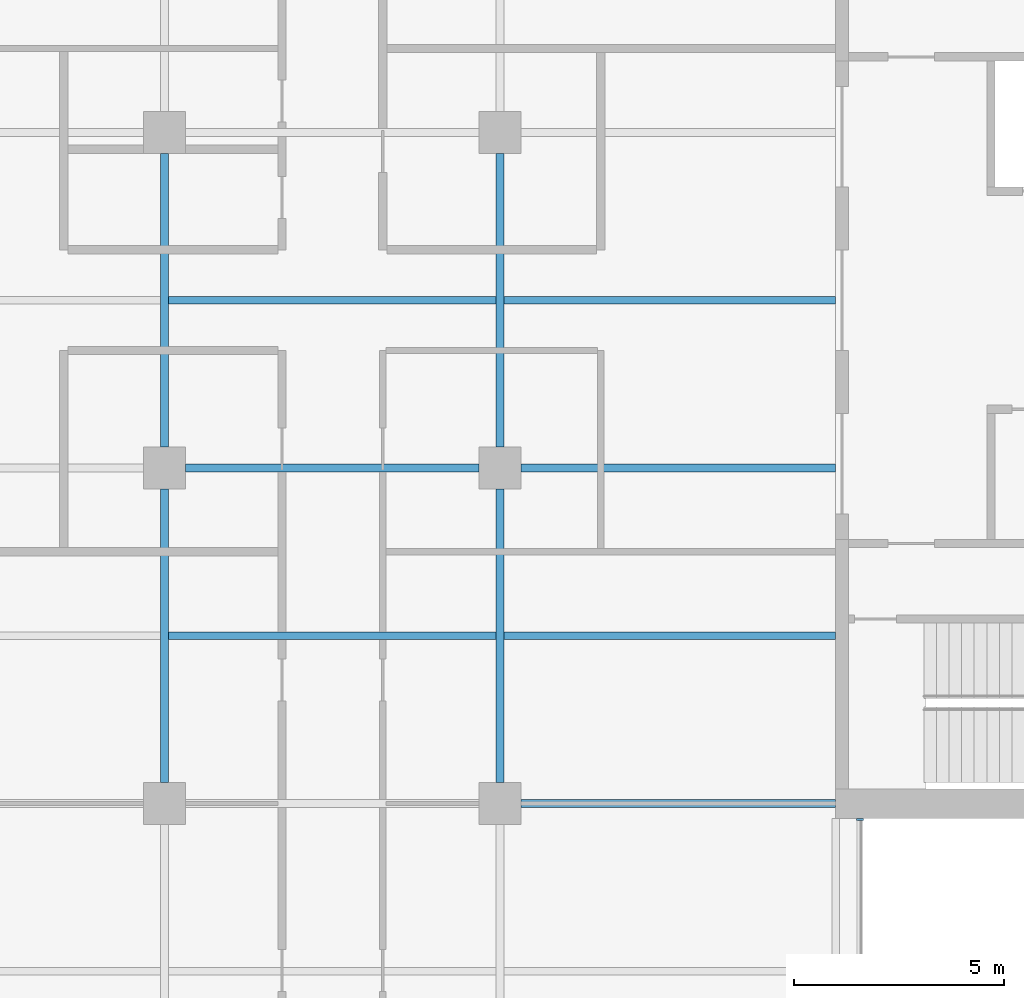
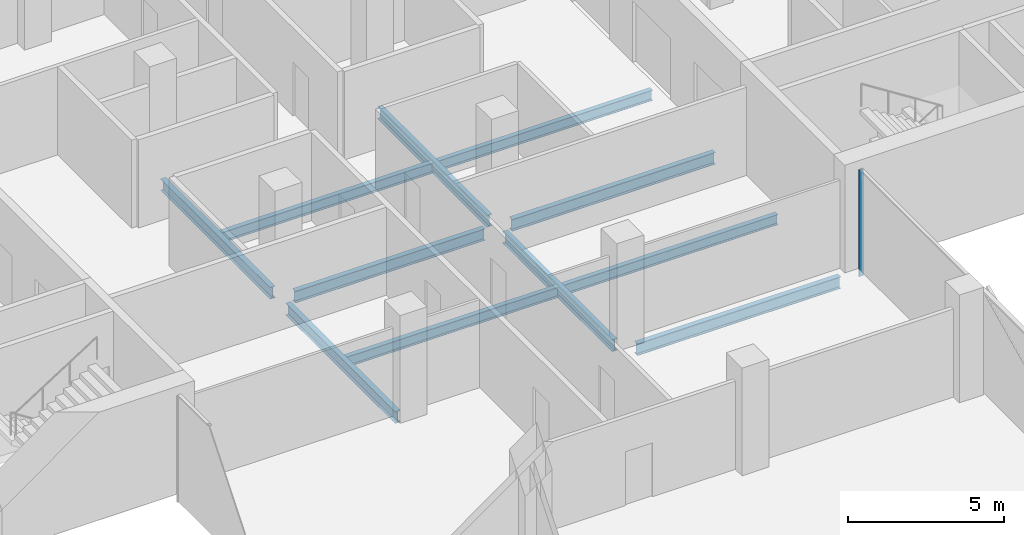
# One storey, part 6 of 22: 11 beams, 1 member, 1 element without a shape of its own.
"""IFC4 building model written with IfcOpenShell, lengths in metres."""

from ifc_helpers import new_model, si_unit, direction, frame, origin, origin_2d, place, context, subcontext, project, spatial, rectangle, i_section, extrude, material, material_profile, profile_set, type_object, element, aggregate, save


model = new_model("IFC4")

# Units and contexts
model_context = context("Model", 3, precision=1e-05, world=origin(), true_north=direction((0.0, 1.0)))
body_context = subcontext(model_context, "Body", "Model", "MODEL_VIEW")
ifc_project = project(units=[si_unit("LENGTHUNIT", "METRE"), si_unit("AREAUNIT", "SQUARE_METRE"), si_unit("VOLUMEUNIT", "CUBIC_METRE"), si_unit("PLANEANGLEUNIT", "RADIAN"), si_unit("MASSUNIT", "GRAM", prefix="KILO")], contexts=[model_context])

# Site, building, storey
site_placement = place(None, origin())
site = spatial("IfcSite", under=ifc_project, at=site_placement, CompositionType="ELEMENT")
building_placement = place(site_placement, origin())
building = spatial("IfcBuilding", under=site, at=building_placement, Name="Crosswind Convention Tower", CompositionType="ELEMENT")
storey_placement = place(building_placement, frame((0.0, 0.0, 137.89990234375)))
storey = spatial("IfcBuildingStorey", under=building, at=storey_placement, Name="L28", CompositionType="ELEMENT", Elevation=137.89990234375)

# Beams
ifc_material_1 = material(Name="Steel S355", Category="steel")
ifc_material_profile_1 = material_profile(ifc_material_1, i_section(OverallWidth=0.19140625, OverallDepth=0.460205078125, WebThickness=0.010009765625, FlangeThickness=0.01611328125, FilletRadius=0.01025390625, at=origin_2d()), Name="UB 457x191x82")
ifc_profile_set_1 = profile_set([ifc_material_profile_1], Name="Steel S355")
beam_type_1 = type_object("IfcBeamType", Name="Girder UB 457x191x82", PredefinedType="BEAM", material=ifc_profile_set_1)
for number, where, z_axis, x_axis, name in (
    (1, (121.0, 88.5, -0.530029296875), (0.0, 1.0, 0.0), (-1.0, 0.0, 0.0), "B3 L28 girder 5"),
    (2, (121.0, 96.5, -0.530029296875), (0.0, 1.0, 0.0), (-1.0, 0.0, 0.0), "B3 L28 girder 6"),
    (3, (121.5, 96.0, -0.530029296875), (1.0, 0.0, 0.0), (0.0, 1.0, 0.0), "B3 L28 girder 12"),
    (4, (129.0, 88.5, -0.530029296875), (0.0, 1.0, 0.0), (-1.0, 0.0, 0.0), "B3 L28 girder 18"),
    (5, (129.0, 96.5, -0.530029296875), (0.0, 1.0, 0.0), (-1.0, 0.0, 0.0), "B3 L28 girder 19"),
):
    element("IfcBeam", number, at=place(storey_placement, frame(where, z_axis=z_axis, x_axis=x_axis)), inside=storey, type_object=beam_type_1, Name=name, PredefinedType="BEAM", context=body_context, shape_type="SweptSolid", body=[
        extrude(i_section(OverallWidth=0.19140625, OverallDepth=0.460205078125, WebThickness=0.010009765625, FlangeThickness=0.01611328125, FilletRadius=0.01025390625, at=origin_2d()), origin(), (0.0, 0.0, 1.0), 7.0),
    ])
ifc_material_profile_2 = material_profile(ifc_material_1, i_section(OverallWidth=0.19189453125, OverallDepth=0.463623046875, WebThickness=0.010498046875, FlangeThickness=0.017578125, FilletRadius=0.01025390625, at=origin_2d()), Name="UB 457x191x90")
ifc_profile_set_2 = profile_set([ifc_material_profile_2], Name="Steel S355")
beam_type_2 = type_object("IfcBeamType", Name="Girder at core wall UB 457x191x90", PredefinedType="BEAM", material=ifc_profile_set_2)
for number, where, z_axis, x_axis, name in (
    (6, (129.5, 88.0, -0.53173828125), (1.0, 0.0, 0.0), (0.0, 1.0, 0.0), "B24 L28 girder at core wall 7"),
    (7, (129.5, 96.0, -0.53173828125), (1.0, 0.0, 0.0), (0.0, 1.0, 0.0), "B24 L28 girder at core wall 8"),
):
    element("IfcBeam", number, at=place(storey_placement, frame(where, z_axis=z_axis, x_axis=x_axis)), inside=storey, type_object=beam_type_2, Name=name, PredefinedType="BEAM", context=body_context, shape_type="SweptSolid", body=[
        extrude(i_section(OverallWidth=0.19189453125, OverallDepth=0.463623046875, WebThickness=0.010498046875, FlangeThickness=0.017578125, FilletRadius=0.01025390625, at=origin_2d()), origin(), (0.0, 0.0, 1.0), 7.5),
    ])

# Curtain wall, member
ifc_material_2 = material(Name="Aluminium unitised curtain wall", Category="aluminium")
curtain_wall_type = type_object("IfcCurtainWallType", Name="CORE END SLOT WALL 160", PredefinedType="USERDEFINED", material=ifc_material_2)
curtain_wall_placement = place(storey_placement, origin())
curtain_wall = element("IfcCurtainWall", 8, at=curtain_wall_placement, inside=storey, type_object=curtain_wall_type, Name="CW6 L28 S-E.1-2 slot", ObjectType="UNITISED", PredefinedType="USERDEFINED")
ifc_material_3 = material(Name="Aluminium mullion", Category="aluminium")
ifc_material_profile_3 = material_profile(ifc_material_3, rectangle(XDim=0.159912109375, YDim=0.050048828125, at=origin_2d()), Name="AL 160X50")
ifc_profile_set_3 = profile_set([ifc_material_profile_3], Name="Aluminium mullion")
member_type = type_object("IfcMemberType", Name="MULLION 50X160", PredefinedType="MULLION", material=ifc_profile_set_3)
member_placement = place(storey_placement, frame((137.580078125, 87.625, -0.2998046875), z_axis=(0.0, 0.0, 1.0), x_axis=(1.0, 0.0, 0.0)))
member = element("IfcMember", 9, at=member_placement, type_object=member_type, Name="CW6 mullion 2", PredefinedType="MULLION", context=body_context, shape_type="SweptSolid", body=[
    extrude(rectangle(XDim=0.159912109375, YDim=0.050048828125, at=origin_2d()), origin(), (0.0, 0.0, 1.0), 4.14990234375),
])
aggregate(curtain_wall, [member])

# Beams
ifc_material_profile_4 = material_profile(ifc_material_1, i_section(OverallWidth=0.177734375, OverallDepth=0.406494140625, WebThickness=0.0078125, FlangeThickness=0.0126953125, FilletRadius=0.01025390625, at=origin_2d()), Name="UB 406x178x60")
ifc_profile_set_4 = profile_set([ifc_material_profile_4], Name="Steel S355")
beam_type_3 = type_object("IfcBeamType", Name="Secondary beam UB 406x178x60", PredefinedType="JOIST", material=ifc_profile_set_4)
for number, where, z_axis, x_axis, name in (
    (10, (121.095703125, 92.0, -0.503173828125), (1.0, 0.0, 0.0), (0.0, 1.0, 0.0), "B10 L28 secondary beam 13"),
    (11, (121.095703125, 100.0, -0.503173828125), (1.0, 0.0, 0.0), (0.0, 1.0, 0.0), "B10 L28 secondary beam 14"),
):
    element("IfcBeam", number, at=place(storey_placement, frame(where, z_axis=z_axis, x_axis=x_axis)), inside=storey, type_object=beam_type_3, Name=name, PredefinedType="JOIST", context=body_context, shape_type="SweptSolid", body=[
        extrude(i_section(OverallWidth=0.177734375, OverallDepth=0.406494140625, WebThickness=0.0078125, FlangeThickness=0.0126953125, FilletRadius=0.01025390625, at=origin_2d()), origin(), (0.0, 0.0, 1.0), 7.80859375),
    ])
for number, where, z_axis, x_axis, name in (
    (12, (129.095703125, 92.0, -0.503173828125), (1.0, 0.0, 0.0), (0.0, 1.0, 0.0), "B10 L28 secondary beam 20"),
    (13, (129.095703125, 100.0, -0.503173828125), (1.0, 0.0, 0.0), (0.0, 1.0, 0.0), "B10 L28 secondary beam 21"),
):
    element("IfcBeam", number, at=place(storey_placement, frame(where, z_axis=z_axis, x_axis=x_axis)), inside=storey, type_object=beam_type_3, Name=name, PredefinedType="JOIST", context=body_context, shape_type="SweptSolid", body=[
        extrude(i_section(OverallWidth=0.177734375, OverallDepth=0.406494140625, WebThickness=0.0078125, FlangeThickness=0.0126953125, FilletRadius=0.01025390625, at=origin_2d()), origin(), (0.0, 0.0, 1.0), 7.904296875),
    ])

save(model, "model.ifc")
